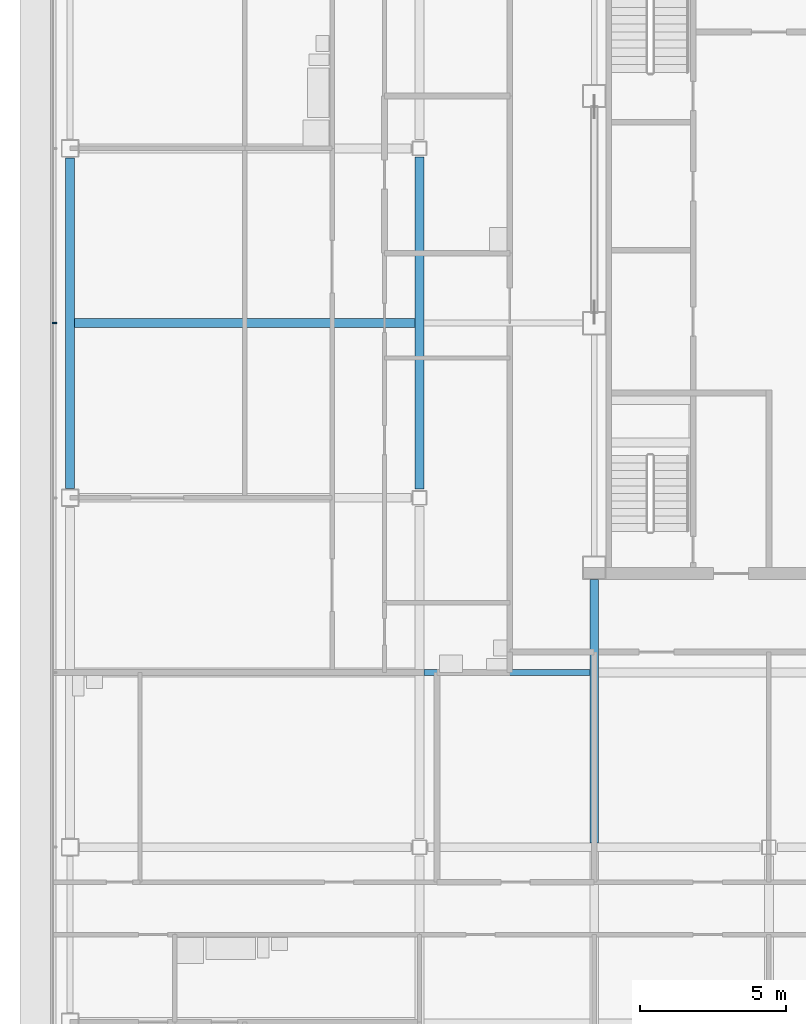
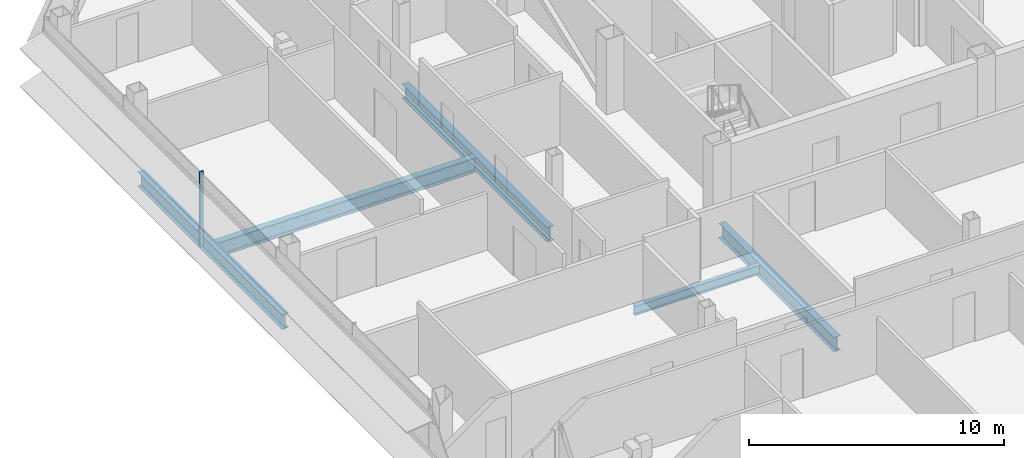
# One storey, part 7 of 27: 5 beams, 1 member, 1 element without a shape of its own.
"""IFC4 building model written with IfcOpenShell, lengths in metres."""

from ifc_helpers import new_model, si_unit, direction, frame, origin, origin_2d, place, context, subcontext, project, spatial, rectangle, i_section, extrude, material, material_profile, profile_set, type_object, element, aggregate, save


model = new_model("IFC4")

# Units and contexts
model_context = context("Model", 3, precision=1e-05, world=origin(), true_north=direction((0.0, 1.0)))
body_context = subcontext(model_context, "Body", "Model", "MODEL_VIEW")
ifc_project = project(units=[si_unit("LENGTHUNIT", "METRE"), si_unit("AREAUNIT", "SQUARE_METRE"), si_unit("VOLUMEUNIT", "CUBIC_METRE"), si_unit("PLANEANGLEUNIT", "RADIAN"), si_unit("MASSUNIT", "GRAM", prefix="KILO")], contexts=[model_context])

# Site, building, storey
site_placement = place(None, origin())
site = spatial("IfcSite", under=ifc_project, at=site_placement, CompositionType="ELEMENT")
building_placement = place(site_placement, origin())
building = spatial("IfcBuilding", under=site, at=building_placement, Name="Sorahane Residences", CompositionType="ELEMENT")
storey_placement = place(building_placement, frame((0.0, 0.0, 246.800048828125)))
storey = spatial("IfcBuildingStorey", under=building, at=storey_placement, Name="L58", CompositionType="ELEMENT", Elevation=246.800048828125)

# Curtain wall, member
ifc_material_1 = material(Name="Dark low-e glass and black anodised aluminium", Category="aluminium")
curtain_wall_type = type_object("IfcCurtainWallType", Name="Curtain wall CW-1 Typical unitised wall", PredefinedType="NOTDEFINED", material=ifc_material_1)
curtain_wall_placement = place(storey_placement, origin())
curtain_wall = element("IfcCurtainWall", 1, at=curtain_wall_placement, inside=storey, type_object=curtain_wall_type, Name="CW-1 curtain wall L58 W1", PredefinedType="NOTDEFINED")
ifc_material_2 = material(Name="Black anodised aluminium", Category="aluminium")
ifc_material_profile_1 = material_profile(ifc_material_2, rectangle(XDim=0.159912109375, YDim=0.050048828125, at=origin_2d()), Name="Curtain wall mullion CW-1 black anodised aluminium 50x160")
ifc_profile_set_1 = profile_set([ifc_material_profile_1], Name="Black anodised aluminium")
member_type = type_object("IfcMemberType", Name="Curtain wall mullion CW-1 black anodised aluminium 50x160", PredefinedType="MULLION", material=ifc_profile_set_1)
member_placement = place(storey_placement, frame((-12.5400390625, 30.0, -0.179931640625), z_axis=(0.0, 0.0, 1.0), x_axis=(-1.0, 0.0, 0.0)))
member = element("IfcMember", 2, at=member_placement, type_object=member_type, Name="CW-1 mullion L58 W1.3", PredefinedType="MULLION", context=body_context, shape_type="SweptSolid", body=[
    extrude(rectangle(XDim=0.159912109375, YDim=0.050048828125, at=origin_2d()), origin(), (0.0, 0.0, 1.0), 3.599853515625),
])
aggregate(curtain_wall, [member])

# Beams
ifc_material_3 = material(Name="Steel Q355B", Category="steel")
ifc_material_profile_2 = material_profile(ifc_material_3, i_section(OverallWidth=0.199951171875, OverallDepth=0.449951171875, WebThickness=0.009033203125, FlangeThickness=0.013916015625, FilletRadius=0.02001953125, at=origin_2d()), Name="HN 450x200x9x14")
ifc_profile_set_2 = profile_set([ifc_material_profile_2], Name="Steel Q355B")
beam_type_1 = type_object("IfcBeamType", Name="Steel floor beam HN 450x200x9x14 Q355B", PredefinedType="BEAM", material=ifc_profile_set_2)
beam_1_placement = place(storey_placement, frame((0.14990234375, 18.0, -0.405029296875), z_axis=(1.0, 0.0, 0.0), x_axis=(0.0, 1.0, 0.0)))
element("IfcBeam", 3, at=beam_1_placement, inside=storey, type_object=beam_type_1, Name="Beam L58 079", PredefinedType="BEAM", context=body_context, shape_type="SweptSolid", body=[
    extrude(i_section(OverallWidth=0.199951171875, OverallDepth=0.449951171875, WebThickness=0.009033203125, FlangeThickness=0.013916015625, FilletRadius=0.02001953125, at=origin_2d()), origin(), (0.0, 0.0, 1.0), 5.7001953125),
])
ifc_material_4 = material(Name="Steel Q355B", Category="steel")
ifc_material_profile_3 = material_profile(ifc_material_4, i_section(OverallWidth=0.300048828125, OverallDepth=0.699951171875, WebThickness=0.012939453125, FlangeThickness=0.02392578125, FilletRadius=0.028076171875, at=origin_2d()), Name="HN 700x300x13x24")
ifc_profile_set_3 = profile_set([ifc_material_profile_3], Name="Steel Q355B")
beam_type_2 = type_object("IfcBeamType", Name="Steel floor beam HN 700x300x13x24 Q355B", PredefinedType="BEAM", material=ifc_profile_set_3)
beam_2_placement = place(storey_placement, frame((-12.0, 24.324951171875, -0.530029296875), z_axis=(0.0, 1.0, 0.0), x_axis=(-1.0, 0.0, 0.0)))
element("IfcBeam", 4, at=beam_2_placement, inside=storey, type_object=beam_type_2, Name="Beam L58 022", PredefinedType="BEAM", context=body_context, shape_type="SweptSolid", body=[
    extrude(i_section(OverallWidth=0.300048828125, OverallDepth=0.699951171875, WebThickness=0.012939453125, FlangeThickness=0.02392578125, FilletRadius=0.028076171875, at=origin_2d()), origin(), (0.0, 0.0, 1.0), 11.35009765625),
])
beam_3_placement = place(storey_placement, frame((0.0, 24.300048828125, -0.530029296875), z_axis=(0.0, 1.0, 0.0), x_axis=(-1.0, 0.0, 0.0)))
element("IfcBeam", 5, at=beam_3_placement, inside=storey, type_object=beam_type_2, Name="Beam L58 026", PredefinedType="BEAM", context=body_context, shape_type="SweptSolid", body=[
    extrude(i_section(OverallWidth=0.300048828125, OverallDepth=0.699951171875, WebThickness=0.012939453125, FlangeThickness=0.02392578125, FilletRadius=0.028076171875, at=origin_2d()), origin(), (0.0, 0.0, 1.0), 11.39990234375),
])
beam_4_placement = place(storey_placement, frame((6.0, 12.14990234375, -0.530029296875), z_axis=(0.0, 1.0, 0.0), x_axis=(-1.0, 0.0, 0.0)))
element("IfcBeam", 6, at=beam_4_placement, inside=storey, type_object=beam_type_2, Name="Beam L58 029", PredefinedType="BEAM", context=body_context, shape_type="SweptSolid", body=[
    extrude(i_section(OverallWidth=0.300048828125, OverallDepth=0.699951171875, WebThickness=0.012939453125, FlangeThickness=0.02392578125, FilletRadius=0.028076171875, at=origin_2d()), origin(), (0.0, 0.0, 1.0), 9.050048828125),
])
beam_5_placement = place(storey_placement, frame((-11.85009765625, 30.0, -0.530029296875), z_axis=(1.0, 0.0, 0.0), x_axis=(0.0, 1.0, 0.0)))
element("IfcBeam", 7, at=beam_5_placement, inside=storey, type_object=beam_type_2, Name="Beam L58 085", PredefinedType="BEAM", context=body_context, shape_type="SweptSolid", body=[
    extrude(i_section(OverallWidth=0.300048828125, OverallDepth=0.699951171875, WebThickness=0.012939453125, FlangeThickness=0.02392578125, FilletRadius=0.028076171875, at=origin_2d()), origin(), (0.0, 0.0, 1.0), 11.7001953125),
])

save(model, "model.ifc")
